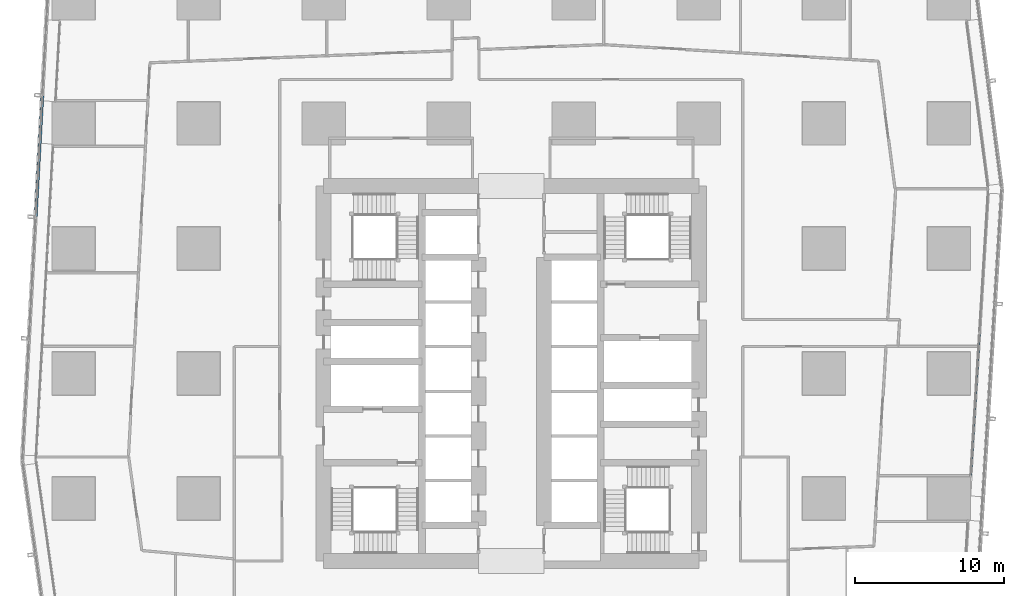
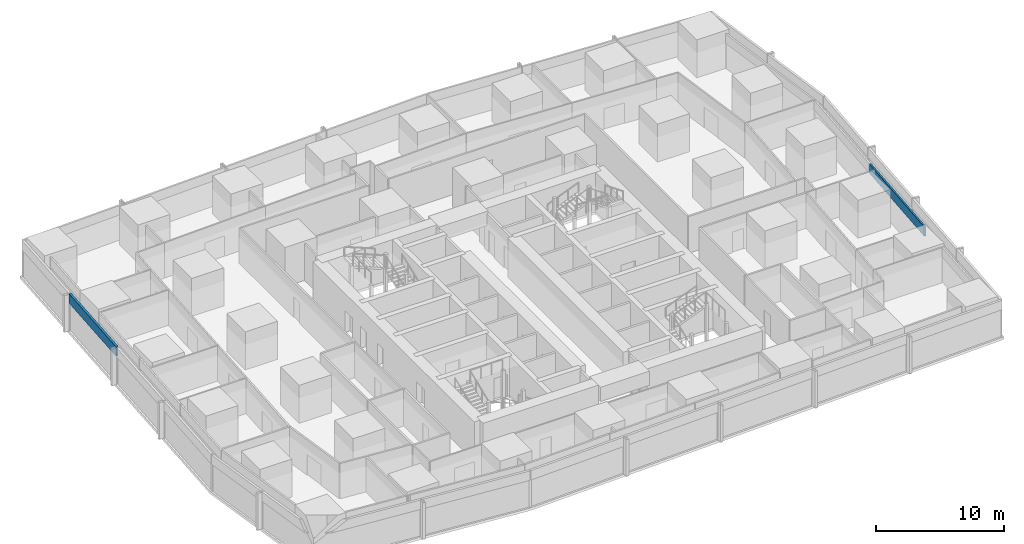
# One storey, part 13 of 40: 2 members, 2 elements without a shape of their own.
"""IFC4 building model written with IfcOpenShell, lengths in metres."""

from ifc_helpers import new_model, si_unit, direction, frame, origin, origin_2d, place, context, subcontext, project, spatial, hollow_rectangle, extrude, material, material_profile, profile_set, type_object, element, aggregate, save


model = new_model("IFC4")

# Units and contexts
model_context = context("Model", 3, precision=1e-05, world=origin(), true_north=direction((0.0, 1.0)))
body_context = subcontext(model_context, "Body", "Model", "MODEL_VIEW")
ifc_project = project(units=[si_unit("LENGTHUNIT", "METRE"), si_unit("AREAUNIT", "SQUARE_METRE"), si_unit("VOLUMEUNIT", "CUBIC_METRE"), si_unit("PLANEANGLEUNIT", "RADIAN"), si_unit("MASSUNIT", "GRAM", prefix="KILO")], contexts=[model_context])

# Site, building, storey
site_placement = place(None, origin())
site = spatial("IfcSite", under=ifc_project, at=site_placement, CompositionType="ELEMENT")
building_placement = place(site_placement, origin())
building = spatial("IfcBuilding", under=site, at=building_placement, Name="Rekha Terrace Tower", CompositionType="ELEMENT")
storey_placement = place(building_placement, frame((0.0, 0.0, 95.300048828125)))
storey = spatial("IfcBuildingStorey", under=building, at=storey_placement, Name="L23", CompositionType="ELEMENT", Elevation=95.300048828125)

# Curtain wall, member
ifc_material_1 = material(Name="Aluminium framing", Category="aluminium")
curtain_wall_type_1 = type_object("IfcCurtainWallType", Name="CW1 double skin inner glazing", PredefinedType="USERDEFINED", material=ifc_material_1)
curtain_wall_1_placement = place(storey_placement, origin())
curtain_wall_1 = element("IfcCurtainWall", 1, at=curtain_wall_1_placement, inside=storey, type_object=curtain_wall_type_1, Name="CW1 double skin inner glazing", ObjectType="DOUBLE SKIN INNER GLAZING", PredefinedType="USERDEFINED")
ifc_material_2 = material(Name="Insulated aluminium spandrel box", Category="aluminium")
ifc_material_profile_1 = material_profile(ifc_material_2, hollow_rectangle(XDim=0.14990234375, YDim=0.89990234375, WallThickness=0.0029296875, at=origin_2d()), Name="AL SPANDREL BOX 150x900")
ifc_profile_set_1 = profile_set([ifc_material_profile_1], Name="Insulated aluminium spandrel box")
member_type_1 = type_object("IfcMemberType", Name="CW1 spandrel transom 150 x 900", PredefinedType="USERDEFINED", material=ifc_profile_set_1)
member_1_placement = place(storey_placement, frame((68.656982421875, 26.734619140625, 3.050048828125), z_axis=(0.061165034859, 0.998127666439, 0.0), x_axis=(-0.998127666439, 0.061165034859, 0.0)))
member_1 = element("IfcMember", 2, at=member_1_placement, type_object=member_type_1, Name="CW1 spandrel transom 1", ObjectType="TRANSOM", PredefinedType="USERDEFINED", context=body_context, shape_type="SweptSolid", body=[
    extrude(hollow_rectangle(XDim=0.14990234375, YDim=0.89990234375, WallThickness=0.0029296875, at=origin_2d()), origin(), (0.0, 0.0, 1.0), 9.571533203125),
])
aggregate(curtain_wall_1, [member_1])

curtain_wall_type_2 = type_object("IfcCurtainWallType", Name="CW2 double skin outer glazing", PredefinedType="USERDEFINED", material=ifc_material_1)
curtain_wall_2_placement = place(storey_placement, origin())
curtain_wall_2 = element("IfcCurtainWall", 3, at=curtain_wall_2_placement, inside=storey, type_object=curtain_wall_type_2, Name="CW2 double skin outer glazing", ObjectType="DOUBLE SKIN OUTER GLAZING", PredefinedType="USERDEFINED")
ifc_material_profile_2 = material_profile(ifc_material_2, hollow_rectangle(XDim=0.199951171875, YDim=0.89990234375, WallThickness=0.0029296875, at=origin_2d()), Name="AL SPANDREL BOX 200x900")
ifc_profile_set_2 = profile_set([ifc_material_profile_2], Name="Insulated aluminium spandrel box")
member_type_2 = type_object("IfcMemberType", Name="CW2 spandrel transom 200 x 900", PredefinedType="USERDEFINED", material=ifc_profile_set_2)
member_2_placement = place(storey_placement, frame((6.3017578125, 52.23828125, 3.050048828125), z_axis=(-0.054735499102, -0.998500888902, 0.0), x_axis=(0.998500888902, -0.054735499102, 0.0)))
member_2 = element("IfcMember", 4, at=member_2_placement, type_object=member_type_2, Name="CW2 spandrel transom 2", ObjectType="TRANSOM", PredefinedType="USERDEFINED", context=body_context, shape_type="SweptSolid", body=[
    extrude(hollow_rectangle(XDim=0.199951171875, YDim=0.89990234375, WallThickness=0.0029296875, at=origin_2d()), origin(), (0.0, 0.0, 1.0), 8.10009765625),
])
aggregate(curtain_wall_2, [member_2])

save(model, "model.ifc")
